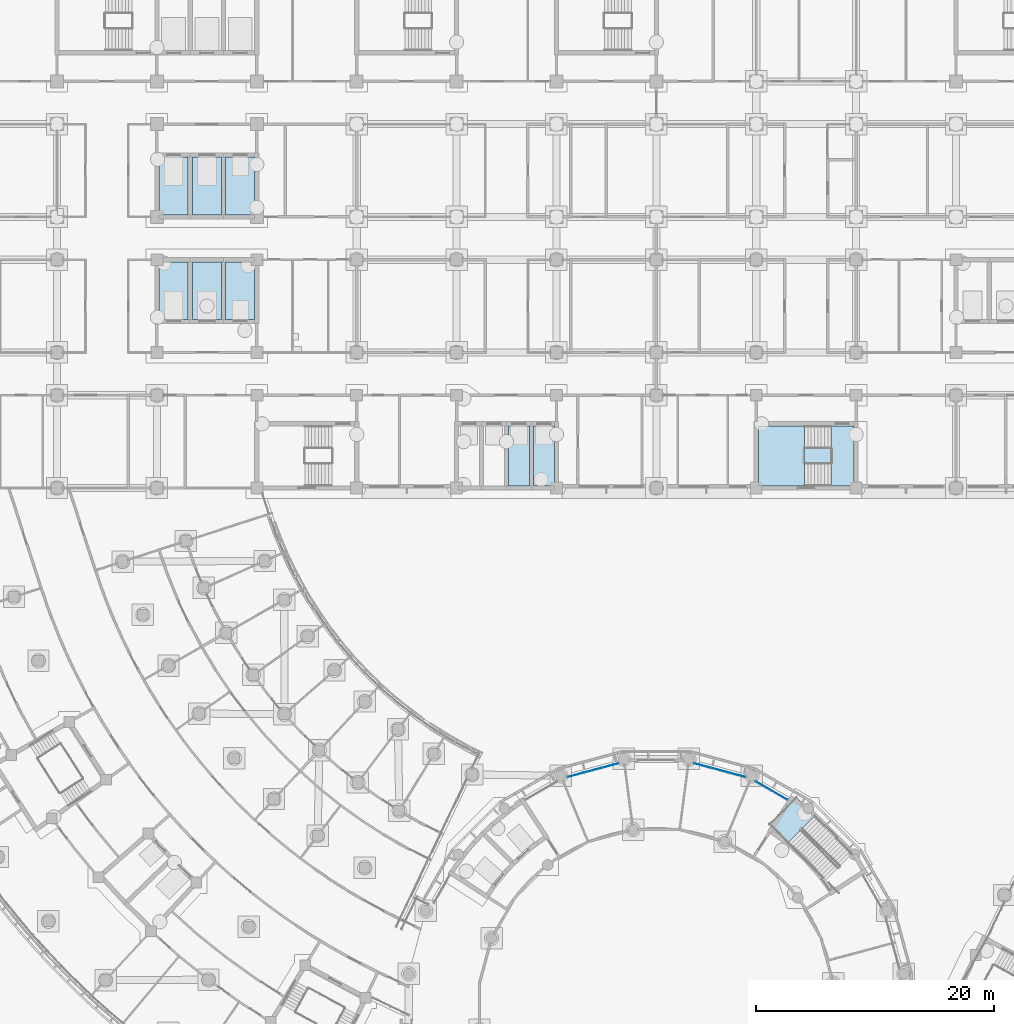
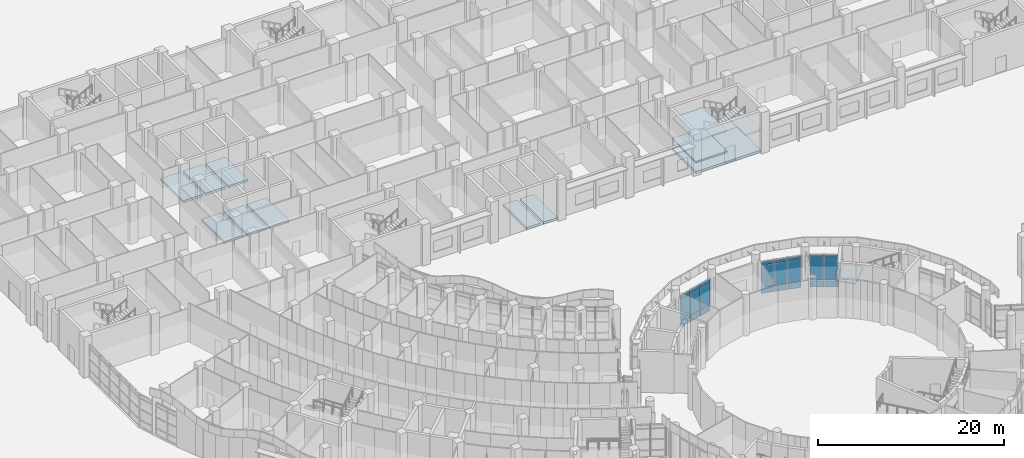
# One storey, part 46 of 146: 24 plates, 13 slabs, 5 elements without a shape of their own.
"""IFC4 building model written with IfcOpenShell, lengths in metres."""

from ifc_helpers import new_model, si_unit, direction, frame, origin, origin_2d, place, context, subcontext, project, spatial, polyline, rectangle, outline, extrude, material, layer, layer_set, type_object, element, aggregate, save


model = new_model("IFC4")

# Units and contexts
model_context = context("Model", 3, precision=1e-05, world=origin(), true_north=direction((0.0, 1.0)))
body_context = subcontext(model_context, "Body", "Model", "MODEL_VIEW")
ifc_project = project(units=[si_unit("LENGTHUNIT", "METRE"), si_unit("AREAUNIT", "SQUARE_METRE"), si_unit("VOLUMEUNIT", "CUBIC_METRE"), si_unit("PLANEANGLEUNIT", "RADIAN"), si_unit("MASSUNIT", "GRAM", prefix="KILO")], contexts=[model_context])

# Site, building, storey
site_placement = place(None, origin())
site = spatial("IfcSite", under=ifc_project, at=site_placement, CompositionType="ELEMENT")
building_placement = place(site_placement, origin())
building = spatial("IfcBuilding", under=site, at=building_placement, Name="Bougainvillea Quay General Hospital", CompositionType="ELEMENT")
storey_placement = place(building_placement, origin())
storey = spatial("IfcBuildingStorey", under=building, at=storey_placement, Name="L00", CompositionType="ELEMENT", Elevation=0.0)

# Curtain wall, plates
ifc_material_1 = material(Name="Aluminium curtain wall system, powder-coated glazed", Category="aluminium")
curtain_wall_type_1 = type_object("IfcCurtainWallType", Name="Unitised curtain wall CW-1585", PredefinedType="NOTDEFINED", material=ifc_material_1)
curtain_wall_1_placement = place(storey_placement, origin())
curtain_wall_1 = element("IfcCurtainWall", 1, at=curtain_wall_1_placement, inside=storey, type_object=curtain_wall_type_1, Name="CW-D 00", PredefinedType="NOTDEFINED")
ifc_material_2 = material(Name="Insulated aluminium spandrel panel, white", Category="aluminium")
ifc_layer_1 = layer(ifc_material_2, 0.028076171875)
ifc_layer_set_1 = layer_set([ifc_layer_1], Name="Insulated aluminium spandrel panel, white")
plate_type_1 = type_object("IfcPlateType", Name="Insulated spandrel panel white 28", PredefinedType="CURTAIN_PANEL", material=ifc_layer_set_1)
plate_1_placement = place(storey_placement, frame((119.56396484375, 91.768310546875, 0.06005859375), z_axis=(0.0, 0.0, 1.0), x_axis=(-0.866045865692, 0.499964557262, 0.0)))
plate_1 = element("IfcPlate", 2, at=plate_1_placement, type_object=plate_type_1, Name="CW-D spandrel panel 1.1", PredefinedType="CURTAIN_PANEL", context=body_context, shape_type="SweptSolid", body=[
    extrude(rectangle(XDim=1.494873046875, YDim=0.028076171875, at=origin_2d()), origin(), (0.0, 0.0, 1.0), 0.81005859375),
])
plate_2_placement = place(storey_placement, frame((119.56396484375, 91.768310546875, 3.7802734375), z_axis=(0.0, 0.0, 1.0), x_axis=(-0.866045865692, 0.499964557262, 0.0)))
plate_2 = element("IfcPlate", 3, at=plate_2_placement, type_object=plate_type_1, Name="CW-D spandrel panel 1.3", PredefinedType="CURTAIN_PANEL", context=body_context, shape_type="SweptSolid", body=[
    extrude(rectangle(XDim=1.494873046875, YDim=0.028076171875, at=origin_2d()), origin(), (0.0, 0.0, 1.0), 0.409912109375),
])
plate_3_placement = place(storey_placement, frame((118.21728515625, 92.5458984375, 0.06005859375), z_axis=(0.0, 0.0, 1.0), x_axis=(-0.866045865692, 0.499964557262, 0.0)))
plate_3 = element("IfcPlate", 4, at=plate_3_placement, type_object=plate_type_1, Name="CW-D spandrel panel 2.1", PredefinedType="CURTAIN_PANEL", context=body_context, shape_type="SweptSolid", body=[
    extrude(rectangle(XDim=1.494873046875, YDim=0.028076171875, at=origin_2d()), origin(), (0.0, 0.0, 1.0), 0.81005859375),
])
plate_4_placement = place(storey_placement, frame((118.21728515625, 92.5458984375, 3.7802734375), z_axis=(0.0, 0.0, 1.0), x_axis=(-0.866045865692, 0.499964557262, 0.0)))
plate_4 = element("IfcPlate", 5, at=plate_4_placement, type_object=plate_type_1, Name="CW-D spandrel panel 2.3", PredefinedType="CURTAIN_PANEL", context=body_context, shape_type="SweptSolid", body=[
    extrude(rectangle(XDim=1.494873046875, YDim=0.028076171875, at=origin_2d()), origin(), (0.0, 0.0, 1.0), 0.409912109375),
])

curtain_wall_type_2 = type_object("IfcCurtainWallType", Name="Unitised curtain wall CW-1514", PredefinedType="NOTDEFINED", material=ifc_material_1)
curtain_wall_2_placement = place(storey_placement, origin())
curtain_wall_2 = element("IfcCurtainWall", 6, at=curtain_wall_2_placement, inside=storey, type_object=curtain_wall_type_2, Name="CW-D 00", PredefinedType="NOTDEFINED")
plate_5_placement = place(storey_placement, frame((115.9716796875, 93.48095703125, 0.06005859375), z_axis=(0.0, 0.0, 1.0), x_axis=(-0.965916292974, 0.258854621298, 0.0)))
plate_5 = element("IfcPlate", 7, at=plate_5_placement, type_object=plate_type_1, Name="CW-D spandrel panel 1.1", PredefinedType="CURTAIN_PANEL", context=body_context, shape_type="SweptSolid", body=[
    extrude(rectangle(XDim=1.423828125, YDim=0.028076171875, at=origin_2d()), origin(), (0.0, 0.0, 1.0), 0.81005859375),
])
plate_6_placement = place(storey_placement, frame((115.9716796875, 93.48095703125, 3.7802734375), z_axis=(0.0, 0.0, 1.0), x_axis=(-0.965916292974, 0.258854621298, 0.0)))
plate_6 = element("IfcPlate", 8, at=plate_6_placement, type_object=plate_type_1, Name="CW-D spandrel panel 1.3", PredefinedType="CURTAIN_PANEL", context=body_context, shape_type="SweptSolid", body=[
    extrude(rectangle(XDim=1.423828125, YDim=0.028076171875, at=origin_2d()), origin(), (0.0, 0.0, 1.0), 0.409912109375),
])
plate_7_placement = place(storey_placement, frame((114.523681640625, 93.869140625, 0.06005859375), z_axis=(0.0, 0.0, 1.0), x_axis=(-0.965916292974, 0.258854621298, 0.0)))
plate_7 = element("IfcPlate", 9, at=plate_7_placement, type_object=plate_type_1, Name="CW-D spandrel panel 2.1", PredefinedType="CURTAIN_PANEL", context=body_context, shape_type="SweptSolid", body=[
    extrude(rectangle(XDim=1.453857421875, YDim=0.028076171875, at=origin_2d()), origin(), (0.0, 0.0, 1.0), 0.81005859375),
])
plate_8_placement = place(storey_placement, frame((114.523681640625, 93.869140625, 3.7802734375), z_axis=(0.0, 0.0, 1.0), x_axis=(-0.965916292974, 0.258854621298, 0.0)))
plate_8 = element("IfcPlate", 10, at=plate_8_placement, type_object=plate_type_1, Name="CW-D spandrel panel 2.3", PredefinedType="CURTAIN_PANEL", context=body_context, shape_type="SweptSolid", body=[
    extrude(rectangle(XDim=1.453857421875, YDim=0.028076171875, at=origin_2d()), origin(), (0.0, 0.0, 1.0), 0.409912109375),
])
plate_9_placement = place(storey_placement, frame((113.075927734375, 94.257080078125, 0.06005859375), z_axis=(0.0, 0.0, 1.0), x_axis=(-0.965916292974, 0.258854621298, 0.0)))
plate_9 = element("IfcPlate", 11, at=plate_9_placement, type_object=plate_type_1, Name="CW-D spandrel panel 3.1", PredefinedType="CURTAIN_PANEL", context=body_context, shape_type="SweptSolid", body=[
    extrude(rectangle(XDim=1.423828125, YDim=0.028076171875, at=origin_2d()), origin(), (0.0, 0.0, 1.0), 0.81005859375),
])
plate_10_placement = place(storey_placement, frame((113.075927734375, 94.257080078125, 3.7802734375), z_axis=(0.0, 0.0, 1.0), x_axis=(-0.965916292974, 0.258854621298, 0.0)))
plate_10 = element("IfcPlate", 12, at=plate_10_placement, type_object=plate_type_1, Name="CW-D spandrel panel 3.3", PredefinedType="CURTAIN_PANEL", context=body_context, shape_type="SweptSolid", body=[
    extrude(rectangle(XDim=1.423828125, YDim=0.028076171875, at=origin_2d()), origin(), (0.0, 0.0, 1.0), 0.409912109375),
])

curtain_wall_3_placement = place(storey_placement, origin())
curtain_wall_3 = element("IfcCurtainWall", 13, at=curtain_wall_3_placement, inside=storey, type_object=curtain_wall_type_2, Name="CW-D 00", PredefinedType="NOTDEFINED")
plate_11_placement = place(storey_placement, frame((105.323974609375, 94.257080078125, 0.06005859375), z_axis=(0.0, 0.0, 1.0), x_axis=(-0.965916292974, -0.258854621298, 0.0)))
plate_11 = element("IfcPlate", 14, at=plate_11_placement, type_object=plate_type_1, Name="CW-D spandrel panel 1.1", PredefinedType="CURTAIN_PANEL", context=body_context, shape_type="SweptSolid", body=[
    extrude(rectangle(XDim=1.423828125, YDim=0.028076171875, at=origin_2d()), origin(), (0.0, 0.0, 1.0), 0.81005859375),
])
plate_12_placement = place(storey_placement, frame((105.323974609375, 94.257080078125, 3.7802734375), z_axis=(0.0, 0.0, 1.0), x_axis=(-0.965916292974, -0.258854621298, 0.0)))
plate_12 = element("IfcPlate", 15, at=plate_12_placement, type_object=plate_type_1, Name="CW-D spandrel panel 1.3", PredefinedType="CURTAIN_PANEL", context=body_context, shape_type="SweptSolid", body=[
    extrude(rectangle(XDim=1.423828125, YDim=0.028076171875, at=origin_2d()), origin(), (0.0, 0.0, 1.0), 0.409912109375),
])
plate_13_placement = place(storey_placement, frame((103.876220703125, 93.869140625, 0.06005859375), z_axis=(0.0, 0.0, 1.0), x_axis=(-0.965916292974, -0.258854621298, 0.0)))
plate_13 = element("IfcPlate", 16, at=plate_13_placement, type_object=plate_type_1, Name="CW-D spandrel panel 2.1", PredefinedType="CURTAIN_PANEL", context=body_context, shape_type="SweptSolid", body=[
    extrude(rectangle(XDim=1.453857421875, YDim=0.028076171875, at=origin_2d()), origin(), (0.0, 0.0, 1.0), 0.81005859375),
])
plate_14_placement = place(storey_placement, frame((103.876220703125, 93.869140625, 3.7802734375), z_axis=(0.0, 0.0, 1.0), x_axis=(-0.965916292974, -0.258854621298, 0.0)))
plate_14 = element("IfcPlate", 17, at=plate_14_placement, type_object=plate_type_1, Name="CW-D spandrel panel 2.3", PredefinedType="CURTAIN_PANEL", context=body_context, shape_type="SweptSolid", body=[
    extrude(rectangle(XDim=1.453857421875, YDim=0.028076171875, at=origin_2d()), origin(), (0.0, 0.0, 1.0), 0.409912109375),
])
plate_15_placement = place(storey_placement, frame((102.428466796875, 93.48095703125, 0.06005859375), z_axis=(0.0, 0.0, 1.0), x_axis=(-0.965916292974, -0.258854621298, 0.0)))
plate_15 = element("IfcPlate", 18, at=plate_15_placement, type_object=plate_type_1, Name="CW-D spandrel panel 3.1", PredefinedType="CURTAIN_PANEL", context=body_context, shape_type="SweptSolid", body=[
    extrude(rectangle(XDim=1.423828125, YDim=0.028076171875, at=origin_2d()), origin(), (0.0, 0.0, 1.0), 0.81005859375),
])
plate_16_placement = place(storey_placement, frame((102.428466796875, 93.48095703125, 3.7802734375), z_axis=(0.0, 0.0, 1.0), x_axis=(-0.965916292974, -0.258854621298, 0.0)))
plate_16 = element("IfcPlate", 19, at=plate_16_placement, type_object=plate_type_1, Name="CW-D spandrel panel 3.3", PredefinedType="CURTAIN_PANEL", context=body_context, shape_type="SweptSolid", body=[
    extrude(rectangle(XDim=1.423828125, YDim=0.028076171875, at=origin_2d()), origin(), (0.0, 0.0, 1.0), 0.409912109375),
])

# Plate
ifc_material_3 = material(Name="Low-e laminated glass, solar control", Category="glass")
ifc_layer_2 = layer(ifc_material_3, 0.028076171875)
ifc_layer_set_2 = layer_set([ifc_layer_2], Name="Low-e laminated glass, solar control")
plate_type_2 = type_object("IfcPlateType", Name="Low-e laminated vision glass 28", PredefinedType="CURTAIN_PANEL", material=ifc_layer_set_2)
plate_17_placement = place(storey_placement, frame((119.56396484375, 91.768310546875, 0.929931640625), z_axis=(0.0, 0.0, 1.0), x_axis=(-0.866045865692, 0.499964557262, 0.0)))
plate_17 = element("IfcPlate", 20, at=plate_17_placement, type_object=plate_type_2, Name="CW-D vision glass panel 1.2", PredefinedType="CURTAIN_PANEL", context=body_context, shape_type="SweptSolid", body=[
    extrude(rectangle(XDim=1.494873046875, YDim=0.028076171875, at=origin_2d()), origin(), (0.0, 0.0, 1.0), 2.7900390625),
])

plate_18_placement = place(storey_placement, frame((118.21728515625, 92.5458984375, 0.929931640625), z_axis=(0.0, 0.0, 1.0), x_axis=(-0.866045865692, 0.499964557262, 0.0)))
plate_18 = element("IfcPlate", 21, at=plate_18_placement, type_object=plate_type_2, Name="CW-D vision glass panel 2.2", PredefinedType="CURTAIN_PANEL", context=body_context, shape_type="SweptSolid", body=[
    extrude(rectangle(XDim=1.494873046875, YDim=0.028076171875, at=origin_2d()), origin(), (0.0, 0.0, 1.0), 2.7900390625),
])

aggregate(curtain_wall_1, [plate_1, plate_17, plate_2, plate_3, plate_18, plate_4])

plate_19_placement = place(storey_placement, frame((115.9716796875, 93.48095703125, 0.929931640625), z_axis=(0.0, 0.0, 1.0), x_axis=(-0.965916292974, 0.258854621298, 0.0)))
plate_19 = element("IfcPlate", 22, at=plate_19_placement, type_object=plate_type_2, Name="CW-D vision glass panel 1.2", PredefinedType="CURTAIN_PANEL", context=body_context, shape_type="SweptSolid", body=[
    extrude(rectangle(XDim=1.423828125, YDim=0.028076171875, at=origin_2d()), origin(), (0.0, 0.0, 1.0), 2.7900390625),
])

plate_20_placement = place(storey_placement, frame((114.523681640625, 93.869140625, 0.929931640625), z_axis=(0.0, 0.0, 1.0), x_axis=(-0.965916292974, 0.258854621298, 0.0)))
plate_20 = element("IfcPlate", 23, at=plate_20_placement, type_object=plate_type_2, Name="CW-D vision glass panel 2.2", PredefinedType="CURTAIN_PANEL", context=body_context, shape_type="SweptSolid", body=[
    extrude(rectangle(XDim=1.453857421875, YDim=0.028076171875, at=origin_2d()), origin(), (0.0, 0.0, 1.0), 2.7900390625),
])

plate_21_placement = place(storey_placement, frame((113.075927734375, 94.257080078125, 0.929931640625), z_axis=(0.0, 0.0, 1.0), x_axis=(-0.965916292974, 0.258854621298, 0.0)))
plate_21 = element("IfcPlate", 24, at=plate_21_placement, type_object=plate_type_2, Name="CW-D vision glass panel 3.2", PredefinedType="CURTAIN_PANEL", context=body_context, shape_type="SweptSolid", body=[
    extrude(rectangle(XDim=1.423828125, YDim=0.028076171875, at=origin_2d()), origin(), (0.0, 0.0, 1.0), 2.7900390625),
])

aggregate(curtain_wall_2, [plate_5, plate_19, plate_6, plate_7, plate_20, plate_8, plate_9, plate_21, plate_10])

plate_22_placement = place(storey_placement, frame((105.323974609375, 94.257080078125, 0.929931640625), z_axis=(0.0, 0.0, 1.0), x_axis=(-0.965916292974, -0.258854621298, 0.0)))
plate_22 = element("IfcPlate", 25, at=plate_22_placement, type_object=plate_type_2, Name="CW-D vision glass panel 1.2", PredefinedType="CURTAIN_PANEL", context=body_context, shape_type="SweptSolid", body=[
    extrude(rectangle(XDim=1.423828125, YDim=0.028076171875, at=origin_2d()), origin(), (0.0, 0.0, 1.0), 2.7900390625),
])

plate_23_placement = place(storey_placement, frame((103.876220703125, 93.869140625, 0.929931640625), z_axis=(0.0, 0.0, 1.0), x_axis=(-0.965916292974, -0.258854621298, 0.0)))
plate_23 = element("IfcPlate", 26, at=plate_23_placement, type_object=plate_type_2, Name="CW-D vision glass panel 2.2", PredefinedType="CURTAIN_PANEL", context=body_context, shape_type="SweptSolid", body=[
    extrude(rectangle(XDim=1.453857421875, YDim=0.028076171875, at=origin_2d()), origin(), (0.0, 0.0, 1.0), 2.7900390625),
])

plate_24_placement = place(storey_placement, frame((102.428466796875, 93.48095703125, 0.929931640625), z_axis=(0.0, 0.0, 1.0), x_axis=(-0.965916292974, -0.258854621298, 0.0)))
plate_24 = element("IfcPlate", 27, at=plate_24_placement, type_object=plate_type_2, Name="CW-D vision glass panel 3.2", PredefinedType="CURTAIN_PANEL", context=body_context, shape_type="SweptSolid", body=[
    extrude(rectangle(XDim=1.423828125, YDim=0.028076171875, at=origin_2d()), origin(), (0.0, 0.0, 1.0), 2.7900390625),
])

aggregate(curtain_wall_3, [plate_11, plate_22, plate_12, plate_13, plate_23, plate_14, plate_15, plate_24, plate_16])

# Slabs
ifc_material_4 = material(Name="Concrete C35", Category="concrete")
ifc_layer_3 = layer(ifc_material_4, 0.300048828125)
ifc_layer_set_3 = layer_set([ifc_layer_3], Name="Concrete C35")
slab_type_1 = type_object("IfcSlabType", Name="RC FLAT SLAB 300 C35 GROUND", PredefinedType="BASESLAB", material=ifc_layer_set_3)
slab_1_placement = place(storey_placement, frame((0.0, 0.0, -0.300048828125)))
element("IfcSlab", 28, at=slab_1_placement, inside=storey, type_object=slab_type_1, Name="Slab S1 L00", PredefinedType="BASESLAB", context=body_context, shape_type="SweptSolid", body=[
    extrude(outline(polyline([(117.77490234375, 122.824951171875), (117.77490234375, 117.77490234375), (125.824951171875, 117.77490234375), (125.824951171875, 122.824951171875), (117.77490234375, 122.824951171875)])), origin(), (0.0, 0.0, 1.0), 0.300048828125),
])
slab_2_placement = place(storey_placement, frame((0.0, 0.0, -0.300048828125)))
element("IfcSlab", 29, at=slab_2_placement, inside=storey, type_object=slab_type_1, Name="Slab S1 L00", PredefinedType="BASESLAB", context=body_context, shape_type="SweptSolid", body=[
    extrude(outline(polyline([(72.97509765625, 136.625), (72.97509765625, 131.77490234375), (75.425048828125, 131.77490234375), (75.425048828125, 136.625), (72.97509765625, 136.625)])), origin(), (0.0, 0.0, 1.0), 0.300048828125),
])
slab_3_placement = place(storey_placement, frame((0.0, 0.0, -0.300048828125)))
element("IfcSlab", 30, at=slab_3_placement, inside=storey, type_object=slab_type_1, Name="Slab S1 L00", PredefinedType="BASESLAB", context=body_context, shape_type="SweptSolid", body=[
    extrude(outline(polyline([(72.625, 136.625), (70.175048828125, 136.625), (70.175048828125, 131.77490234375), (72.625, 131.77490234375), (72.625, 136.625)])), origin(), (0.0, 0.0, 1.0), 0.300048828125),
])
slab_4_placement = place(storey_placement, frame((0.0, 0.0, -0.300048828125)))
element("IfcSlab", 31, at=slab_4_placement, inside=storey, type_object=slab_type_1, Name="Slab S1 L00", PredefinedType="BASESLAB", context=body_context, shape_type="SweptSolid", body=[
    extrude(outline(polyline([(69.824951171875, 136.625), (67.375, 136.625), (67.375, 131.77490234375), (69.824951171875, 131.77490234375), (69.824951171875, 136.625)])), origin(), (0.0, 0.0, 1.0), 0.300048828125),
])
slab_5_placement = place(storey_placement, frame((0.0, 0.0, -0.300048828125)))
element("IfcSlab", 32, at=slab_5_placement, inside=storey, type_object=slab_type_1, Name="Slab S1 L00", PredefinedType="BASESLAB", context=body_context, shape_type="SweptSolid", body=[
    extrude(outline(polyline([(72.97509765625, 145.425048828125), (72.97509765625, 140.574951171875), (75.425048828125, 140.574951171875), (75.425048828125, 145.425048828125), (72.97509765625, 145.425048828125)])), origin(), (0.0, 0.0, 1.0), 0.300048828125),
])
slab_6_placement = place(storey_placement, frame((0.0, 0.0, -0.300048828125)))
element("IfcSlab", 33, at=slab_6_placement, inside=storey, type_object=slab_type_1, Name="Slab S1 L00", PredefinedType="BASESLAB", context=body_context, shape_type="SweptSolid", body=[
    extrude(outline(polyline([(70.175048828125, 145.425048828125), (70.175048828125, 140.574951171875), (72.625, 140.574951171875), (72.625, 145.425048828125), (70.175048828125, 145.425048828125)])), origin(), (0.0, 0.0, 1.0), 0.300048828125),
])
slab_7_placement = place(storey_placement, frame((0.0, 0.0, -0.300048828125)))
element("IfcSlab", 34, at=slab_7_placement, inside=storey, type_object=slab_type_1, Name="Slab S1 L00", PredefinedType="BASESLAB", context=body_context, shape_type="SweptSolid", body=[
    extrude(outline(polyline([(69.824951171875, 145.425048828125), (67.375, 145.425048828125), (67.375, 140.574951171875), (69.824951171875, 140.574951171875), (69.824951171875, 145.425048828125)])), origin(), (0.0, 0.0, 1.0), 0.300048828125),
])
slab_8_placement = place(storey_placement, frame((0.0, 0.0, -0.300048828125)))
element("IfcSlab", 35, at=slab_8_placement, inside=storey, type_object=slab_type_1, Name="Slab S1 L00", PredefinedType="BASESLAB", context=body_context, shape_type="SweptSolid", body=[
    extrude(outline(polyline([(98.52490234375, 122.824951171875), (96.77490234375, 122.824951171875), (96.77490234375, 117.77490234375), (98.52490234375, 117.77490234375), (98.52490234375, 122.824951171875)])), origin(), (0.0, 0.0, 1.0), 0.300048828125),
])
slab_9_placement = place(storey_placement, frame((0.0, 0.0, -0.300048828125)))
element("IfcSlab", 36, at=slab_9_placement, inside=storey, type_object=slab_type_1, Name="Slab S1 L00", PredefinedType="BASESLAB", context=body_context, shape_type="SweptSolid", body=[
    extrude(outline(polyline([(100.625, 122.824951171875), (98.875, 122.824951171875), (98.875, 117.77490234375), (100.625, 117.77490234375), (100.625, 122.824951171875)])), origin(), (0.0, 0.0, 1.0), 0.300048828125),
])

# Stair, slabs
stair_type_1 = type_object("IfcStairType", Name="Stair half-turn 1925 wide", PredefinedType="HALF_TURN_STAIR", material=ifc_material_4)
stair_1_placement = place(storey_placement, origin())
stair_1 = element("IfcStair", 37, at=stair_1_placement, inside=storey, type_object=stair_type_1, Name="L00 stair ST-B3", PredefinedType="HALF_TURN_STAIR")
ifc_layer_4 = layer(ifc_material_4, 0.199951171875)
ifc_layer_set_4 = layer_set([ifc_layer_4], Name="Concrete C35")
slab_type_2 = type_object("IfcSlabType", Name="Stair landing 200", PredefinedType="LANDING", material=ifc_layer_set_4)
slab_10_placement = place(storey_placement, frame((0.0, 0.0, 1.14990234375)))
slab_10 = element("IfcSlab", 38, at=slab_10_placement, type_object=slab_type_2, Name="ST-B3 landing 1", PredefinedType="LANDING", context=body_context, shape_type="SweptSolid", body=[
    extrude(outline(polyline([(121.659912109375, 122.824951171875), (117.77490234375, 122.824951171875), (117.77490234375, 117.77490234375), (121.659912109375, 117.77490234375), (121.659912109375, 122.824951171875)])), origin(), (0.0, 0.0, 1.0), 0.2001953125),
])
slab_11_placement = place(storey_placement, frame((0.0, 0.0, 2.5)))
slab_11 = element("IfcSlab", 39, at=slab_11_placement, type_object=slab_type_2, Name="ST-B3 landing 2", PredefinedType="LANDING", context=body_context, shape_type="SweptSolid", body=[
    extrude(outline(polyline([(125.824951171875, 122.824951171875), (123.89990234375, 122.824951171875), (123.89990234375, 117.77490234375), (125.824951171875, 117.77490234375), (125.824951171875, 122.824951171875)])), origin(), (0.0, 0.0, 1.0), 0.199951171875),
])
slab_12_placement = place(storey_placement, frame((0.0, 0.0, 3.85009765625)))
slab_12 = element("IfcSlab", 40, at=slab_12_placement, type_object=slab_type_2, Name="ST-B3 landing 3", PredefinedType="LANDING", context=body_context, shape_type="SweptSolid", body=[
    extrude(outline(polyline([(121.659912109375, 122.824951171875), (117.77490234375, 122.824951171875), (117.77490234375, 117.77490234375), (121.659912109375, 117.77490234375), (121.659912109375, 122.824951171875)])), origin(), (0.0, 0.0, 1.0), 0.199951171875),
])
aggregate(stair_1, [slab_10, slab_11, slab_12])

# Stair, slab
stair_type_2 = type_object("IfcStairType", Name="Stair half-turn 1563 wide", PredefinedType="HALF_TURN_STAIR", material=ifc_material_4)
stair_2_placement = place(storey_placement, origin())
stair_2 = element("IfcStair", 41, at=stair_2_placement, inside=storey, type_object=stair_type_2, Name="L00 stair ST-H1", PredefinedType="HALF_TURN_STAIR")
slab_13_placement = place(storey_placement, frame((0.0, 0.0, 2.5)))
slab_13 = element("IfcSlab", 42, at=slab_13_placement, type_object=slab_type_2, Name="ST-H1 landing 1", PredefinedType="LANDING", context=body_context, shape_type="SweptSolid", body=[
    extrude(outline(polyline([(122.531494140625, 90.03857421875), (120.96533203125, 91.604736328125), (118.68408203125, 89.323486328125), (120.250244140625, 87.75732421875), (122.531494140625, 90.03857421875)])), origin(), (0.0, 0.0, 1.0), 0.199951171875),
])
aggregate(stair_2, [slab_13])

save(model, "model.ifc")
